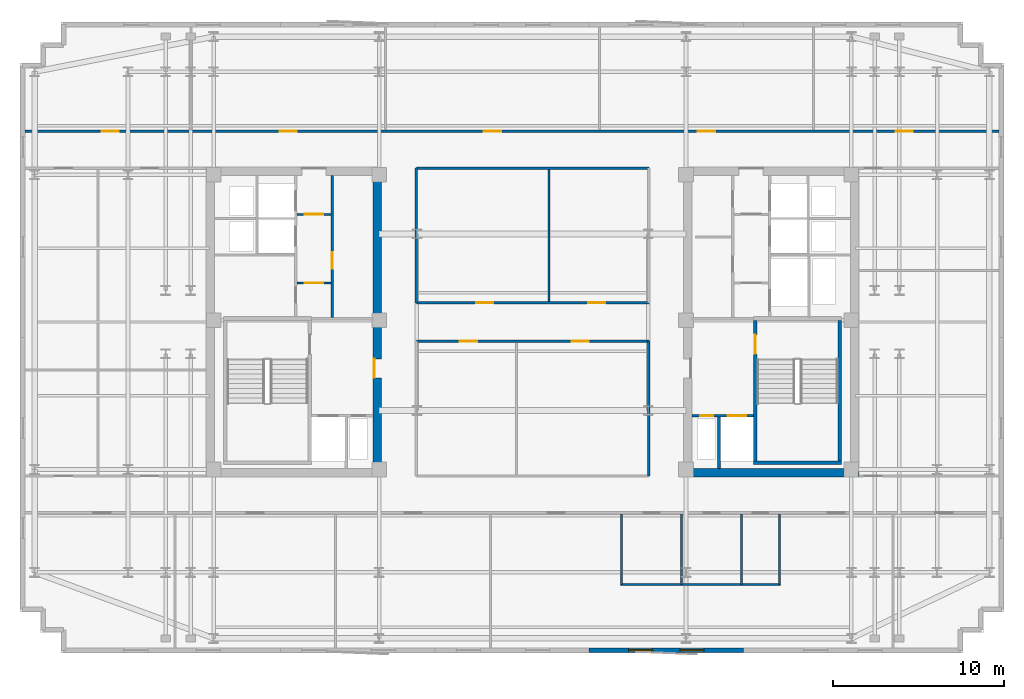
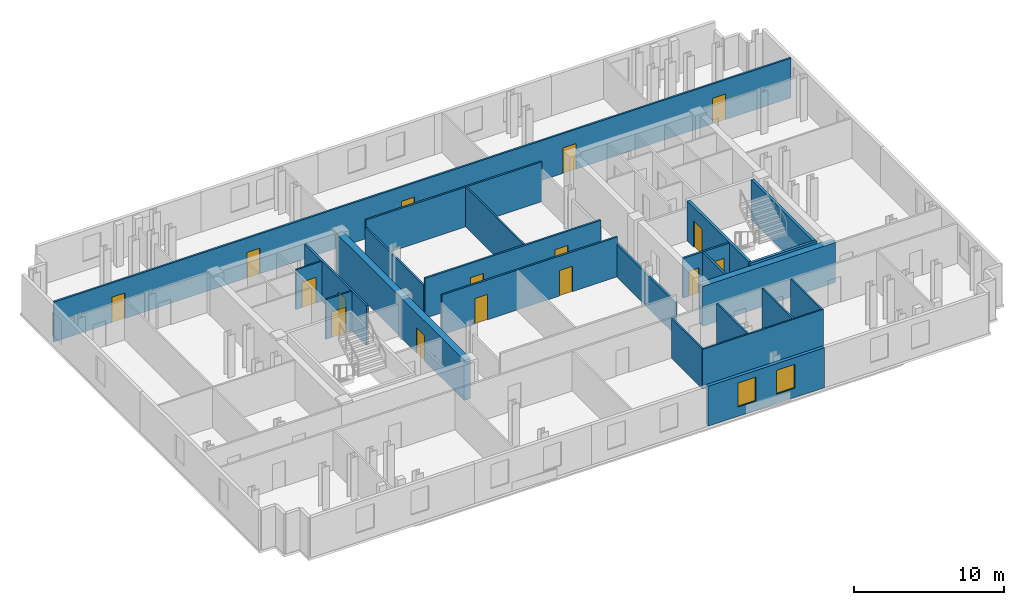
# One storey, part 5 of 9: 23 walls, 16 doors, 2 windows, 18 openings.
"""IFC4 building model written with IfcOpenShell, lengths in metres."""

from ifc_helpers import new_model, si_unit, direction, frame, frame_2d, origin, place, context, subcontext, project, spatial, rectangle, extrude, material, layer, layer_set, type_object, element, fill, save


model = new_model("IFC4")

# Units and contexts
model_context = context("Model", 3, precision=1e-05, world=origin(), true_north=direction((0.0, 1.0)))
body_context = subcontext(model_context, "Body", "Model", "MODEL_VIEW")
ifc_project = project(units=[si_unit("LENGTHUNIT", "METRE"), si_unit("AREAUNIT", "SQUARE_METRE"), si_unit("VOLUMEUNIT", "CUBIC_METRE"), si_unit("PLANEANGLEUNIT", "RADIAN"), si_unit("MASSUNIT", "GRAM", prefix="KILO")], contexts=[model_context])

# Site, building, storey
site_placement = place(None, origin())
site = spatial("IfcSite", under=ifc_project, at=site_placement, CompositionType="ELEMENT")
building_placement = place(site_placement, origin())
building = spatial("IfcBuilding", under=site, at=building_placement, Name="Velakula Bourse", CompositionType="ELEMENT")
storey_placement = place(building_placement, frame((0.0, 0.0, 225.75)))
storey = spatial("IfcBuildingStorey", under=building, at=storey_placement, Name="L61", CompositionType="ELEMENT", Elevation=225.75)

# Wall, opening, door
ifc_material_1 = material(Name="Concrete M50 (fck 50 MPa)", Category="concrete")
ifc_layer_1 = layer(ifc_material_1, 0.2099609375, Name="Concrete M50 (fck 50 MPa)", Category="concrete")
ifc_layer_set_1 = layer_set([ifc_layer_1], Name="Concrete M50 (fck 50 MPa)")
wall_type_1 = type_object("IfcWallType", Name="WL-CORE-210", PredefinedType="SHEAR", material=ifc_layer_set_1)
wall_1_placement = place(storey_placement, frame((12.9951171875, -8.10009765625, 0.0), z_axis=(0.0, 0.0, 1.0), x_axis=(0.0, 1.0, 0.0)))
wall_1 = element("IfcWall", 1, at=wall_1_placement, inside=storey, type_object=wall_type_1, Name="L61 Core E Stairwell Shear Wall IN", PredefinedType="SHEAR", context=body_context, shape_type="SweptSolid", body=[
    extrude(rectangle(XDim=8.2001953125, YDim=0.2099609375, at=frame_2d((4.10009765625, 0.0))), origin(), (0.0, 0.0, 1.0), 3.27001953125),
])
opening_1_placement = place(wall_1_placement, frame((6.25, 0.0, 0.0)))
opening_1 = element("IfcOpeningElement", 2, at=opening_1_placement, cuts=wall_1, Name="Opening D-STE1", PredefinedType="OPENING", context=body_context, shape_type="SweptSolid", body=[
    extrude(rectangle(XDim=1.10009765625, YDim=2.14990234375, at=frame_2d((0.550048828125, 1.074951171875))), frame((0.0, 0.114990234375, 0.0), z_axis=(0.0, -1.0, 0.0), x_axis=(1.0, 0.0, 0.0)), (0.0, 0.0, 1.0), 0.22998046875),
])
ifc_material_2 = material(Name="Galvanised painted hollow steel fire door", Category="steel")
door_type_1 = type_object("IfcDoorType", Name="DR-FD120-1100x2150", OperationType="NOTDEFINED", PredefinedType="DOOR", material=ifc_material_2)
door_1_placement = place(opening_1_placement, origin())
door_1 = element("IfcDoor", 3, at=door_1_placement, inside=storey, type_object=door_type_1, Name="L61 Stair ST-E1 Fire Door", OperationType="SINGLE_SWING_RIGHT", OverallHeight=2.14990234375, OverallWidth=1.10009765625, PredefinedType="DOOR", context=body_context, shape_type="SweptSolid", body=[
    extrude(rectangle(XDim=1.10009765625, YDim=2.14990234375, at=frame_2d((0.550048828125, 1.074951171875))), frame((0.0, 0.02490234375, 0.0), z_axis=(0.0, -1.0, 0.0), x_axis=(1.0, 0.0, 0.0)), (0.0, 0.0, 1.0), 0.050048828125),
])
fill(opening_1, door_1)

# Walls
wall_2_placement = place(storey_placement, frame((17.925048828125, -8.10009765625, 0.0), z_axis=(0.0, 0.0, 1.0), x_axis=(0.0, 1.0, 0.0)))
element("IfcWall", 4, at=wall_2_placement, inside=storey, type_object=wall_type_1, Name="L61 Core E Stairwell Shear Wall OUT", PredefinedType="SHEAR", context=body_context, shape_type="SweptSolid", body=[
    extrude(rectangle(XDim=8.2001953125, YDim=0.2099609375, at=frame_2d((4.10009765625, 0.0))), origin(), (0.0, 0.0, 1.0), 3.27001953125),
])
wall_3_placement = place(storey_placement, frame((12.889892578125, -8.205078125, 0.0), z_axis=(0.0, 0.0, 1.0), x_axis=(1.0, 0.0, 0.0)))
element("IfcWall", 5, at=wall_3_placement, inside=storey, type_object=wall_type_1, Name="L61 Core E Stairwell Shear Wall S", PredefinedType="SHEAR", context=body_context, shape_type="SweptSolid", body=[
    extrude(rectangle(XDim=5.14013671875, YDim=0.2099609375, at=frame_2d((2.570068359375, 0.0))), origin(), (0.0, 0.0, 1.0), 3.27001953125),
])

# Wall, opening, door
ifc_layer_2 = layer(ifc_material_1, 0.5, Name="Concrete M50 (fck 50 MPa)", Category="concrete")
ifc_layer_set_2 = layer_set([ifc_layer_2], Name="Concrete M50 (fck 50 MPa)")
wall_type_2 = type_object("IfcWallType", Name="WL-CORE-500", PredefinedType="SHEAR", material=ifc_layer_set_2)
wall_4_placement = place(storey_placement, frame((-9.050048828125, -8.550048828125, 0.0), z_axis=(0.0, 0.0, 1.0), x_axis=(0.0, 1.0, 0.0)))
wall_4 = element("IfcWall", 6, at=wall_4_placement, inside=storey, type_object=wall_type_2, Name="L61 Core W Shear Wall E", PredefinedType="SHEAR", context=body_context, shape_type="SweptSolid", body=[
    extrude(rectangle(XDim=17.10009765625, YDim=0.5, at=frame_2d((8.550048828125, 0.0))), origin(), (0.0, 0.0, 1.0), 3.27001953125),
])
opening_2_placement = place(wall_4_placement, frame((5.300048828125, 0.0, 0.0)))
opening_2 = element("IfcOpeningElement", 7, at=opening_2_placement, cuts=wall_4, Name="Opening D-FLW", PredefinedType="OPENING", context=body_context, shape_type="SweptSolid", body=[
    extrude(rectangle(XDim=1.10009765625, YDim=2.080078125, at=frame_2d((0.550048828125, 1.0400390625))), frame((0.0, 0.260009765625, 0.0), z_axis=(0.0, -1.0, 0.0), x_axis=(1.0, 0.0, 0.0)), (0.0, 0.0, 1.0), 0.52001953125),
])
door_type_2 = type_object("IfcDoorType", Name="DR-FD120-1100", OperationType="NOTDEFINED", PredefinedType="DOOR", material=ifc_material_2)
door_2_placement = place(opening_2_placement, origin())
door_2 = element("IfcDoor", 8, at=door_2_placement, inside=storey, type_object=door_type_2, Name="L61 Firefighting Lobby W Corridor Fire Door", OperationType="SINGLE_SWING_LEFT", OverallHeight=2.080078125, OverallWidth=1.10009765625, PredefinedType="DOOR", context=body_context, shape_type="SweptSolid", body=[
    extrude(rectangle(XDim=1.10009765625, YDim=2.080078125, at=frame_2d((0.550048828125, 1.0400390625))), frame((0.0, 0.205078125, 0.0), z_axis=(0.0, -1.0, 0.0), x_axis=(1.0, 0.0, 0.0)), (0.0, 0.0, 1.0), 0.050048828125),
])
fill(opening_2, door_2)

# Wall
wall_5_placement = place(storey_placement, frame((8.800048828125, -8.800048828125, 0.0), z_axis=(0.0, 0.0, 1.0), x_axis=(1.0, 0.0, 0.0)))
element("IfcWall", 9, at=wall_5_placement, inside=storey, type_object=wall_type_2, Name="L61 Core E Shear Wall S", PredefinedType="SHEAR", context=body_context, shape_type="SweptSolid", body=[
    extrude(rectangle(XDim=10.25, YDim=0.5, at=frame_2d((5.125, 0.0))), origin(), (0.0, 0.0, 1.0), 3.27001953125),
])

# Wall, openings, windows
ifc_material_3 = material(Name="Buff kilned clay facing brick masonry", Category="masonry")
ifc_layer_3 = layer(ifc_material_3, 0.260009765625, Name="Buff kilned clay facing brick masonry", Category="masonry")
ifc_layer_set_3 = layer_set([ifc_layer_3], Name="Buff kilned clay facing brick masonry")
wall_type_3 = type_object("IfcWallType", Name="WL-EXT-BRK-260", PredefinedType="STANDARD", material=ifc_layer_set_3)
wall_6_placement = place(storey_placement, frame((12.300048828125, -19.14990234375, 0.0), z_axis=(0.0, 0.0, 1.0), x_axis=(-1.0, 0.0, 0.0)))
wall_6 = element("IfcWall", 10, at=wall_6_placement, inside=storey, type_object=wall_type_3, Name="L61 S Brick Spandrel Wall B4", PredefinedType="STANDARD", context=body_context, shape_type="SweptSolid", body=[
    extrude(rectangle(XDim=9.0, YDim=0.260009765625, at=frame_2d((4.5, 0.0))), origin(), (0.0, 0.0, 1.0), 3.25),
])
opening_3_placement = place(wall_6_placement, frame((2.300048828125, 0.0, 0.760009765625)))
opening_3 = element("IfcOpeningElement", 11, at=opening_3_placement, cuts=wall_6, Name="Opening W-03", PredefinedType="OPENING", context=body_context, shape_type="SweptSolid", body=[
    extrude(rectangle(XDim=1.39990234375, YDim=1.949951171875, at=frame_2d((0.699951171875, 0.97509765625))), frame((0.0, 0.139892578125, 0.0), z_axis=(0.0, -1.0, 0.0), x_axis=(1.0, 0.0, 0.0)), (0.0, 0.0, 1.0), 0.280029296875),
])
opening_4_placement = place(wall_6_placement, frame((5.300048828125, 0.0, 0.760009765625)))
opening_4 = element("IfcOpeningElement", 12, at=opening_4_placement, cuts=wall_6, Name="Opening W-03", PredefinedType="OPENING", context=body_context, shape_type="SweptSolid", body=[
    extrude(rectangle(XDim=1.39990234375, YDim=1.949951171875, at=frame_2d((0.699951171875, 0.97509765625))), frame((0.0, 0.139892578125, 0.0), z_axis=(0.0, -1.0, 0.0), x_axis=(1.0, 0.0, 0.0)), (0.0, 0.0, 1.0), 0.280029296875),
])
ifc_material_4 = material(Name="Double-glazed solar-control Low-E glass", Category="glass")
window_type = type_object("IfcWindowType", Name="WIN-TWR-1400x2100", PartitioningType="SINGLE_PANEL", PredefinedType="WINDOW", material=ifc_material_4)
window_1_placement = place(opening_3_placement, origin())
window_1 = element("IfcWindow", 13, at=window_1_placement, inside=storey, type_object=window_type, Name="L61 Deep-Set Recessed Window 1", OverallHeight=1.949951171875, OverallWidth=1.39990234375, PartitioningType="SINGLE_PANEL", PredefinedType="WINDOW", context=body_context, shape_type="SweptSolid", body=[
    extrude(rectangle(XDim=1.39990234375, YDim=1.949951171875, at=frame_2d((0.699951171875, 0.97509765625))), frame((0.0, 0.030029296875, 0.0), z_axis=(0.0, -1.0, 0.0), x_axis=(1.0, 0.0, 0.0)), (0.0, 0.0, 1.0), 0.06005859375),
])
fill(opening_3, window_1)
window_2_placement = place(opening_4_placement, origin())
window_2 = element("IfcWindow", 14, at=window_2_placement, inside=storey, type_object=window_type, Name="L61 Deep-Set Recessed Window 2", OverallHeight=1.949951171875, OverallWidth=1.39990234375, PartitioningType="SINGLE_PANEL", PredefinedType="WINDOW", context=body_context, shape_type="SweptSolid", body=[
    extrude(rectangle(XDim=1.39990234375, YDim=1.949951171875, at=frame_2d((0.699951171875, 0.97509765625))), frame((0.0, 0.030029296875, 0.0), z_axis=(0.0, -1.0, 0.0), x_axis=(1.0, 0.0, 0.0)), (0.0, 0.0, 1.0), 0.06005859375),
])
fill(opening_4, window_2)

# Wall, opening, door
ifc_material_5 = material(Name="Fire-rated double-layer gypsum drywall partition", Category="gypsum")
ifc_layer_4 = layer(ifc_material_5, 0.1201171875, Name="Fire-rated double-layer gypsum drywall partition", Category="gypsum")
ifc_layer_set_4 = layer_set([ifc_layer_4], Name="Fire-rated double-layer gypsum drywall partition")
wall_type_4 = type_object("IfcWallType", Name="WL-PART-120", PredefinedType="STANDARD", material=ifc_layer_set_4)
wall_7_placement = place(storey_placement, frame((-13.75, 2.280029296875, 0.0), z_axis=(0.0, 0.0, 1.0), x_axis=(1.0, 0.0, 0.0)))
wall_7 = element("IfcWall", 15, at=wall_7_placement, inside=storey, type_object=wall_type_4, Name="L61 Interior Partition WL-CRW-L61-LL-K3A", PredefinedType="STANDARD", context=body_context, shape_type="SweptSolid", body=[
    extrude(rectangle(XDim=2.0, YDim=0.1201171875, at=frame_2d((1.0, 0.0))), origin(), (0.0, 0.0, 1.0), 3.25),
])
opening_5_placement = place(wall_7_placement, frame((0.449951171875, 0.0, 0.0)))
opening_5 = element("IfcOpeningElement", 16, at=opening_5_placement, cuts=wall_7, Name="Opening D-LK3", PredefinedType="OPENING", context=body_context, shape_type="SweptSolid", body=[
    extrude(rectangle(XDim=1.10009765625, YDim=2.10009765625, at=frame_2d((0.550048828125, 1.050048828125))), frame((0.0, 0.070068359375, 0.0), z_axis=(0.0, -1.0, 0.0), x_axis=(1.0, 0.0, 0.0)), (0.0, 0.0, 1.0), 0.14013671875),
])
ifc_material_6 = material(Name="Fire-rated hardwood flush architectural door", Category="wood")
door_type_3 = type_object("IfcDoorType", Name="DR-FD60-1100x2100", OperationType="NOTDEFINED", PredefinedType="DOOR", material=ifc_material_6)
door_3_placement = place(opening_5_placement, origin())
door_3 = element("IfcDoor", 17, at=door_3_placement, inside=storey, type_object=door_type_3, Name="L61 Core W Lift Lobby Vestibule Door A", OperationType="SINGLE_SWING_RIGHT", OverallHeight=2.10009765625, OverallWidth=1.10009765625, PredefinedType="DOOR", context=body_context, shape_type="SweptSolid", body=[
    extrude(rectangle(XDim=1.10009765625, YDim=2.10009765625, at=frame_2d((0.550048828125, 1.050048828125))), frame((0.0, 0.02490234375, 0.0), z_axis=(0.0, -1.0, 0.0), x_axis=(1.0, 0.0, 0.0)), (0.0, 0.0, 1.0), 0.050048828125),
])
fill(opening_5, door_3)

wall_8_placement = place(storey_placement, frame((-13.75, 6.280029296875, 0.0), z_axis=(0.0, 0.0, 1.0), x_axis=(1.0, 0.0, 0.0)))
wall_8 = element("IfcWall", 18, at=wall_8_placement, inside=storey, type_object=wall_type_4, Name="L61 Interior Partition WL-CRW-L61-LL-K3B", PredefinedType="STANDARD", context=body_context, shape_type="SweptSolid", body=[
    extrude(rectangle(XDim=2.0, YDim=0.1201171875, at=frame_2d((1.0, 0.0))), origin(), (0.0, 0.0, 1.0), 3.25),
])
opening_6_placement = place(wall_8_placement, frame((0.449951171875, 0.0, 0.0)))
opening_6 = element("IfcOpeningElement", 19, at=opening_6_placement, cuts=wall_8, Name="Opening D-LK3", PredefinedType="OPENING", context=body_context, shape_type="SweptSolid", body=[
    extrude(rectangle(XDim=1.10009765625, YDim=2.10009765625, at=frame_2d((0.550048828125, 1.050048828125))), frame((0.0, 0.070068359375, 0.0), z_axis=(0.0, -1.0, 0.0), x_axis=(1.0, 0.0, 0.0)), (0.0, 0.0, 1.0), 0.14013671875),
])
door_4_placement = place(opening_6_placement, origin())
door_4 = element("IfcDoor", 20, at=door_4_placement, inside=storey, type_object=door_type_3, Name="L61 Core W Lift Lobby Vestibule Door B", OperationType="SINGLE_SWING_RIGHT", OverallHeight=2.10009765625, OverallWidth=1.10009765625, PredefinedType="DOOR", context=body_context, shape_type="SweptSolid", body=[
    extrude(rectangle(XDim=1.10009765625, YDim=2.10009765625, at=frame_2d((0.550048828125, 1.050048828125))), frame((0.0, 0.02490234375, 0.0), z_axis=(0.0, -1.0, 0.0), x_axis=(1.0, 0.0, 0.0)), (0.0, 0.0, 1.0), 0.050048828125),
])
fill(opening_6, door_4)

# Walls
wall_9_placement = place(storey_placement, frame((5.139892578125, -15.320068359375, 0.0), z_axis=(0.0, 0.0, 1.0), x_axis=(1.0, 0.0, 0.0)))
element("IfcWall", 21, at=wall_9_placement, inside=storey, type_object=wall_type_4, Name="L61 Interior Partition WL-WC-L61-BACK", PredefinedType="STANDARD", context=body_context, shape_type="SweptSolid", body=[
    extrude(rectangle(XDim=9.320068359375, YDim=0.1201171875, at=frame_2d((4.66015625, 0.0))), origin(), (0.0, 0.0, 1.0), 3.25),
])
for number, where, z_axis, x_axis, name in (
    (22, (5.199951171875, -15.320068359375, 0.0), (0.0, 0.0, 1.0), (0.0, 1.0, 0.0), "L61 Interior Partition WL-WC-L61-V1"),
    (23, (8.699951171875, -15.320068359375, 0.0), (0.0, 0.0, 1.0), (0.0, 1.0, 0.0), "L61 Interior Partition WL-WC-L61-V2"),
    (24, (12.199951171875, -15.320068359375, 0.0), (0.0, 0.0, 1.0), (0.0, 1.0, 0.0), "L61 Interior Partition WL-WC-L61-V3"),
    (25, (14.39990234375, -15.320068359375, 0.0), (0.0, 0.0, 1.0), (0.0, 1.0, 0.0), "L61 Interior Partition WL-WC-L61-V4"),
):
    element("IfcWall", number, at=place(storey_placement, frame(where, z_axis=z_axis, x_axis=x_axis)), inside=storey, type_object=wall_type_4, Name=name, PredefinedType="STANDARD", context=body_context, shape_type="SweptSolid", body=[
        extrude(rectangle(XDim=4.130126953125, YDim=0.1201171875, at=frame_2d((2.06494140625, 0.0))), origin(), (0.0, 0.0, 1.0), 3.25),
    ])

# Wall, openings, doors
ifc_layer_5 = layer(ifc_material_5, 0.139892578125, Name="Fire-rated double-layer gypsum drywall partition", Category="gypsum")
ifc_layer_set_5 = layer_set([ifc_layer_5], Name="Fire-rated double-layer gypsum drywall partition")
wall_type_5 = type_object("IfcWallType", Name="WL-PART-140", PredefinedType="STANDARD", material=ifc_layer_set_5)
wall_10_placement = place(storey_placement, frame((-29.6201171875, 11.1201171875, 0.0), z_axis=(0.0, 0.0, 1.0), x_axis=(1.0, 0.0, 0.0)))
wall_10 = element("IfcWall", 26, at=wall_10_placement, inside=storey, type_object=wall_type_5, Name="L61 Interior Partition WL-INT-L61-N-CORR", PredefinedType="STANDARD", context=body_context, shape_type="SweptSolid", body=[
    extrude(rectangle(XDim=56.840087890625, YDim=0.139892578125, at=frame_2d((28.419921875, 0.0))), origin(), (0.0, 0.0, 1.0), 3.25),
])
opening_7_placement = place(wall_10_placement, frame((4.47705078125, 0.0, 0.0)))
opening_7 = element("IfcOpeningElement", 27, at=opening_7_placement, cuts=wall_10, Name="Opening D-OF1", PredefinedType="OPENING", context=body_context, shape_type="SweptSolid", body=[
    extrude(rectangle(XDim=1.0, YDim=2.080078125, at=frame_2d((0.5, 1.0400390625))), frame((0.0, 0.079833984375, 0.0), z_axis=(0.0, -1.0, 0.0), x_axis=(1.0, 0.0, 0.0)), (0.0, 0.0, 1.0), 0.159912109375),
])
opening_8_placement = place(wall_10_placement, frame((14.8740234375, 0.0, 0.0)))
opening_8 = element("IfcOpeningElement", 28, at=opening_8_placement, cuts=wall_10, Name="Opening D-OF1", PredefinedType="OPENING", context=body_context, shape_type="SweptSolid", body=[
    extrude(rectangle(XDim=1.0, YDim=2.080078125, at=frame_2d((0.5, 1.0400390625))), frame((0.0, 0.079833984375, 0.0), z_axis=(0.0, -1.0, 0.0), x_axis=(1.0, 0.0, 0.0)), (0.0, 0.0, 1.0), 0.159912109375),
])
opening_9_placement = place(wall_10_placement, frame((26.785400390625, 0.0, 0.0)))
opening_9 = element("IfcOpeningElement", 29, at=opening_9_placement, cuts=wall_10, Name="Opening D-OF1", PredefinedType="OPENING", context=body_context, shape_type="SweptSolid", body=[
    extrude(rectangle(XDim=1.0, YDim=2.080078125, at=frame_2d((0.5, 1.0400390625))), frame((0.0, 0.079833984375, 0.0), z_axis=(0.0, -1.0, 0.0), x_axis=(1.0, 0.0, 0.0)), (0.0, 0.0, 1.0), 0.159912109375),
])
opening_10_placement = place(wall_10_placement, frame((39.263916015625, 0.0, 0.0)))
opening_10 = element("IfcOpeningElement", 30, at=opening_10_placement, cuts=wall_10, Name="Opening D-OF1", PredefinedType="OPENING", context=body_context, shape_type="SweptSolid", body=[
    extrude(rectangle(XDim=1.0, YDim=2.080078125, at=frame_2d((0.5, 1.0400390625))), frame((0.0, 0.079833984375, 0.0), z_axis=(0.0, -1.0, 0.0), x_axis=(1.0, 0.0, 0.0)), (0.0, 0.0, 1.0), 0.159912109375),
])
opening_11_placement = place(wall_10_placement, frame((50.79541015625, 0.0, 0.0)))
opening_11 = element("IfcOpeningElement", 31, at=opening_11_placement, cuts=wall_10, Name="Opening D-OF1", PredefinedType="OPENING", context=body_context, shape_type="SweptSolid", body=[
    extrude(rectangle(XDim=1.0, YDim=2.080078125, at=frame_2d((0.5, 1.0400390625))), frame((0.0, 0.079833984375, 0.0), z_axis=(0.0, -1.0, 0.0), x_axis=(1.0, 0.0, 0.0)), (0.0, 0.0, 1.0), 0.159912109375),
])
door_type_4 = type_object("IfcDoorType", Name="DR-OFF-1000", OperationType="NOTDEFINED", PredefinedType="DOOR", material=ifc_material_6)
door_5_placement = place(opening_7_placement, origin())
door_5 = element("IfcDoor", 32, at=door_5_placement, inside=storey, type_object=door_type_4, Name="L61 Equity Options Trading Workspace Door", OperationType="SINGLE_SWING_LEFT", OverallHeight=2.080078125, OverallWidth=1.0, PredefinedType="DOOR", context=body_context, shape_type="SweptSolid", body=[
    extrude(rectangle(XDim=1.0, YDim=2.080078125, at=frame_2d((0.5, 1.0400390625))), frame((0.0, 0.02490234375, 0.0), z_axis=(0.0, -1.0, 0.0), x_axis=(1.0, 0.0, 0.0)), (0.0, 0.0, 1.0), 0.050048828125),
])
fill(opening_7, door_5)
door_6_placement = place(opening_8_placement, origin())
door_6 = element("IfcDoor", 33, at=door_6_placement, inside=storey, type_object=door_type_4, Name="L61 Disciplinary Hearing Room Door", OperationType="SINGLE_SWING_RIGHT", OverallHeight=2.080078125, OverallWidth=1.0, PredefinedType="DOOR", context=body_context, shape_type="SweptSolid", body=[
    extrude(rectangle(XDim=1.0, YDim=2.080078125, at=frame_2d((0.5, 1.0400390625))), frame((0.0, 0.02490234375, 0.0), z_axis=(0.0, -1.0, 0.0), x_axis=(1.0, 0.0, 0.0)), (0.0, 0.0, 1.0), 0.050048828125),
])
fill(opening_8, door_6)
door_7_placement = place(opening_9_placement, origin())
door_7 = element("IfcDoor", 34, at=door_7_placement, inside=storey, type_object=door_type_4, Name="L61 Traders Pantry Door", OperationType="SINGLE_SWING_LEFT", OverallHeight=2.080078125, OverallWidth=1.0, PredefinedType="DOOR", context=body_context, shape_type="SweptSolid", body=[
    extrude(rectangle(XDim=1.0, YDim=2.080078125, at=frame_2d((0.5, 1.0400390625))), frame((0.0, 0.02490234375, 0.0), z_axis=(0.0, -1.0, 0.0), x_axis=(1.0, 0.0, 0.0)), (0.0, 0.0, 1.0), 0.050048828125),
])
fill(opening_9, door_7)
door_8_placement = place(opening_10_placement, origin())
door_8 = element("IfcDoor", 35, at=door_8_placement, inside=storey, type_object=door_type_4, Name="L61 Quiet Financial Library Door", OperationType="SINGLE_SWING_RIGHT", OverallHeight=2.080078125, OverallWidth=1.0, PredefinedType="DOOR", context=body_context, shape_type="SweptSolid", body=[
    extrude(rectangle(XDim=1.0, YDim=2.080078125, at=frame_2d((0.5, 1.0400390625))), frame((0.0, 0.02490234375, 0.0), z_axis=(0.0, -1.0, 0.0), x_axis=(1.0, 0.0, 0.0)), (0.0, 0.0, 1.0), 0.050048828125),
])
fill(opening_10, door_8)
door_9_placement = place(opening_11_placement, origin())
door_9 = element("IfcDoor", 36, at=door_9_placement, inside=storey, type_object=door_type_4, Name="L61 Margin Control Office Door", OperationType="SINGLE_SWING_LEFT", OverallHeight=2.080078125, OverallWidth=1.0, PredefinedType="DOOR", context=body_context, shape_type="SweptSolid", body=[
    extrude(rectangle(XDim=1.0, YDim=2.080078125, at=frame_2d((0.5, 1.0400390625))), frame((0.0, 0.02490234375, 0.0), z_axis=(0.0, -1.0, 0.0), x_axis=(1.0, 0.0, 0.0)), (0.0, 0.0, 1.0), 0.050048828125),
])
fill(opening_11, door_9)

wall_11_placement = place(storey_placement, frame((-6.780029296875, 1.1201171875, 0.0), z_axis=(0.0, 0.0, 1.0), x_axis=(1.0, 0.0, 0.0)))
wall_11 = element("IfcWall", 37, at=wall_11_placement, inside=storey, type_object=wall_type_5, Name="L61 Interior Partition WL-INT-L61-MN-IN", PredefinedType="STANDARD", context=body_context, shape_type="SweptSolid", body=[
    extrude(rectangle(XDim=13.56005859375, YDim=0.139892578125, at=frame_2d((6.780029296875, 0.0))), origin(), (0.0, 0.0, 1.0), 3.25),
])
opening_12_placement = place(wall_11_placement, frame((3.490966796875, 0.0, 0.0)))
opening_12 = element("IfcOpeningElement", 38, at=opening_12_placement, cuts=wall_11, Name="Opening D-OF1", PredefinedType="OPENING", context=body_context, shape_type="SweptSolid", body=[
    extrude(rectangle(XDim=1.0, YDim=2.080078125, at=frame_2d((0.5, 1.0400390625))), frame((0.0, 0.079833984375, 0.0), z_axis=(0.0, -1.0, 0.0), x_axis=(1.0, 0.0, 0.0)), (0.0, 0.0, 1.0), 0.159912109375),
])
opening_13_placement = place(wall_11_placement, frame((10.01904296875, 0.0, 0.0)))
opening_13 = element("IfcOpeningElement", 39, at=opening_13_placement, cuts=wall_11, Name="Opening D-OF1", PredefinedType="OPENING", context=body_context, shape_type="SweptSolid", body=[
    extrude(rectangle(XDim=1.0, YDim=2.080078125, at=frame_2d((0.5, 1.0400390625))), frame((0.0, 0.079833984375, 0.0), z_axis=(0.0, -1.0, 0.0), x_axis=(1.0, 0.0, 0.0)), (0.0, 0.0, 1.0), 0.159912109375),
])
door_10_placement = place(opening_12_placement, origin())
door_10 = element("IfcDoor", 40, at=door_10_placement, inside=storey, type_object=door_type_4, Name="L61 Compliance Review Office Door", OperationType="SINGLE_SWING_LEFT", OverallHeight=2.080078125, OverallWidth=1.0, PredefinedType="DOOR", context=body_context, shape_type="SweptSolid", body=[
    extrude(rectangle(XDim=1.0, YDim=2.080078125, at=frame_2d((0.5, 1.0400390625))), frame((0.0, 0.02490234375, 0.0), z_axis=(0.0, -1.0, 0.0), x_axis=(1.0, 0.0, 0.0)), (0.0, 0.0, 1.0), 0.050048828125),
])
fill(opening_12, door_10)
door_11_placement = place(opening_13_placement, origin())
door_11 = element("IfcDoor", 41, at=door_11_placement, inside=storey, type_object=door_type_4, Name="L61 Margin Control Office Door", OperationType="SINGLE_SWING_RIGHT", OverallHeight=2.080078125, OverallWidth=1.0, PredefinedType="DOOR", context=body_context, shape_type="SweptSolid", body=[
    extrude(rectangle(XDim=1.0, YDim=2.080078125, at=frame_2d((0.5, 1.0400390625))), frame((0.0, 0.02490234375, 0.0), z_axis=(0.0, -1.0, 0.0), x_axis=(1.0, 0.0, 0.0)), (0.0, 0.0, 1.0), 0.050048828125),
])
fill(opening_13, door_11)

# Walls
wall_12_placement = place(storey_placement, frame((-6.780029296875, 8.97998046875, 0.0), z_axis=(0.0, 0.0, 1.0), x_axis=(1.0, 0.0, 0.0)))
element("IfcWall", 42, at=wall_12_placement, inside=storey, type_object=wall_type_5, Name="L61 Interior Partition WL-INT-L61-MN-OUT", PredefinedType="STANDARD", context=body_context, shape_type="SweptSolid", body=[
    extrude(rectangle(XDim=13.56005859375, YDim=0.139892578125, at=frame_2d((6.780029296875, 0.0))), origin(), (0.0, 0.0, 1.0), 3.25),
])
wall_13_placement = place(storey_placement, frame((-6.780029296875, 1.1201171875, 0.0), z_axis=(0.0, 0.0, 1.0), x_axis=(0.0, 1.0, 0.0)))
element("IfcWall", 43, at=wall_13_placement, inside=storey, type_object=wall_type_5, Name="L61 Interior Partition WL-INT-L61-MN-W", PredefinedType="STANDARD", context=body_context, shape_type="SweptSolid", body=[
    extrude(rectangle(XDim=7.85986328125, YDim=0.139892578125, at=frame_2d((3.929931640625, 0.0))), origin(), (0.0, 0.0, 1.0), 2.64501953125),
])
wall_14_placement = place(storey_placement, frame((0.949951171875, 1.18994140625, 0.0), z_axis=(0.0, 0.0, 1.0), x_axis=(0.0, 1.0, 0.0)))
element("IfcWall", 44, at=wall_14_placement, inside=storey, type_object=wall_type_5, Name="L61 Interior Partition WL-INT-L61-MN-V1", PredefinedType="STANDARD", context=body_context, shape_type="SweptSolid", body=[
    extrude(rectangle(XDim=7.719970703125, YDim=0.1201171875, at=frame_2d((3.85986328125, 0.0))), origin(), (0.0, 0.0, 1.0), 3.25),
])

# Wall, openings, doors
wall_15_placement = place(storey_placement, frame((-6.780029296875, -1.1201171875, 0.0), z_axis=(0.0, 0.0, 1.0), x_axis=(1.0, 0.0, 0.0)))
wall_15 = element("IfcWall", 45, at=wall_15_placement, inside=storey, type_object=wall_type_5, Name="L61 Interior Partition WL-INT-L61-MS-IN", PredefinedType="STANDARD", context=body_context, shape_type="SweptSolid", body=[
    extrude(rectangle(XDim=13.56005859375, YDim=0.139892578125, at=frame_2d((6.780029296875, 0.0))), origin(), (0.0, 0.0, 1.0), 3.25),
])
opening_14_placement = place(wall_15_placement, frame((2.541015625, 0.0, 0.0)))
opening_14 = element("IfcOpeningElement", 46, at=opening_14_placement, cuts=wall_15, Name="Opening D-OF1", PredefinedType="OPENING", context=body_context, shape_type="SweptSolid", body=[
    extrude(rectangle(XDim=1.0, YDim=2.080078125, at=frame_2d((0.5, 1.0400390625))), frame((0.0, 0.079833984375, 0.0), z_axis=(0.0, -1.0, 0.0), x_axis=(1.0, 0.0, 0.0)), (0.0, 0.0, 1.0), 0.159912109375),
])
opening_15_placement = place(wall_15_placement, frame((9.069091796875, 0.0, 0.0)))
opening_15 = element("IfcOpeningElement", 47, at=opening_15_placement, cuts=wall_15, Name="Opening D-OF1", PredefinedType="OPENING", context=body_context, shape_type="SweptSolid", body=[
    extrude(rectangle(XDim=1.0, YDim=2.080078125, at=frame_2d((0.5, 1.0400390625))), frame((0.0, 0.079833984375, 0.0), z_axis=(0.0, -1.0, 0.0), x_axis=(1.0, 0.0, 0.0)), (0.0, 0.0, 1.0), 0.159912109375),
])
door_12_placement = place(opening_14_placement, origin())
door_12 = element("IfcDoor", 48, at=door_12_placement, inside=storey, type_object=door_type_4, Name="L61 Bullion Assay Office Door", OperationType="SINGLE_SWING_LEFT", OverallHeight=2.080078125, OverallWidth=1.0, PredefinedType="DOOR", context=body_context, shape_type="SweptSolid", body=[
    extrude(rectangle(XDim=1.0, YDim=2.080078125, at=frame_2d((0.5, 1.0400390625))), frame((0.0, 0.02490234375, 0.0), z_axis=(0.0, -1.0, 0.0), x_axis=(1.0, 0.0, 0.0)), (0.0, 0.0, 1.0), 0.050048828125),
])
fill(opening_14, door_12)
door_13_placement = place(opening_15_placement, origin())
door_13 = element("IfcDoor", 49, at=door_13_placement, inside=storey, type_object=door_type_4, Name="L61 Legal Counsel Office Door", OperationType="SINGLE_SWING_RIGHT", OverallHeight=2.080078125, OverallWidth=1.0, PredefinedType="DOOR", context=body_context, shape_type="SweptSolid", body=[
    extrude(rectangle(XDim=1.0, YDim=2.080078125, at=frame_2d((0.5, 1.0400390625))), frame((0.0, 0.02490234375, 0.0), z_axis=(0.0, -1.0, 0.0), x_axis=(1.0, 0.0, 0.0)), (0.0, 0.0, 1.0), 0.050048828125),
])
fill(opening_15, door_13)

# Wall
wall_16_placement = place(storey_placement, frame((6.780029296875, -8.97998046875, 0.0), z_axis=(0.0, 0.0, 1.0), x_axis=(0.0, 1.0, 0.0)))
element("IfcWall", 50, at=wall_16_placement, inside=storey, type_object=wall_type_5, Name="L61 Interior Partition WL-INT-L61-MS-E", PredefinedType="STANDARD", context=body_context, shape_type="SweptSolid", body=[
    extrude(rectangle(XDim=7.85986328125, YDim=0.139892578125, at=frame_2d((3.929931640625, 0.0))), origin(), (0.0, 0.0, 1.0), 2.64501953125),
])

# Wall, opening, door
ifc_material_7 = material(Name="Autoclaved aerated concrete blockwork masonry", Category="masonry")
ifc_layer_6 = layer(ifc_material_7, 0.14990234375, Name="Autoclaved aerated concrete blockwork masonry", Category="masonry")
ifc_layer_set_6 = layer_set([ifc_layer_6], Name="Autoclaved aerated concrete blockwork masonry")
wall_type_6 = type_object("IfcWallType", Name="WL-SHAFT-150", PredefinedType="STANDARD", material=ifc_layer_set_6)
wall_17_placement = place(storey_placement, frame((-11.675048828125, 0.27001953125, 0.0), z_axis=(0.0, 0.0, 1.0), x_axis=(0.0, 1.0, 0.0)))
wall_17 = element("IfcWall", 51, at=wall_17_placement, inside=storey, type_object=wall_type_6, Name="L61 Interior Partition WL-CRW-L61-BANK-F", PredefinedType="STANDARD", context=body_context, shape_type="SweptSolid", body=[
    extrude(rectangle(XDim=8.280029296875, YDim=0.14990234375, at=frame_2d((4.14013671875, 0.0))), origin(), (0.0, 0.0, 1.0), 3.25),
])
opening_16_placement = place(wall_17_placement, frame((2.85009765625, 0.0, 0.0)))
opening_16 = element("IfcOpeningElement", 52, at=opening_16_placement, cuts=wall_17, Name="Opening D-RC4", PredefinedType="OPENING", context=body_context, shape_type="SweptSolid", body=[
    extrude(rectangle(XDim=0.949951171875, YDim=2.050048828125, at=frame_2d((0.47509765625, 1.02490234375))), frame((0.0, 0.0849609375, 0.0), z_axis=(0.0, -1.0, 0.0), x_axis=(1.0, 0.0, 0.0)), (0.0, 0.0, 1.0), 0.169921875),
])
door_type_5 = type_object("IfcDoorType", Name="DR-FD60-950x2050", OperationType="NOTDEFINED", PredefinedType="DOOR", material=ifc_material_6)
door_14_placement = place(opening_16_placement, origin())
door_14 = element("IfcDoor", 53, at=door_14_placement, inside=storey, type_object=door_type_5, Name="L61 Reclaimed Multi-Bay Archive Room Door", OperationType="SINGLE_SWING_RIGHT", OverallHeight=2.050048828125, OverallWidth=0.949951171875, PredefinedType="DOOR", context=body_context, shape_type="SweptSolid", body=[
    extrude(rectangle(XDim=0.949951171875, YDim=2.050048828125, at=frame_2d((0.47509765625, 1.02490234375))), frame((0.0, 0.02490234375, 0.0), z_axis=(0.0, -1.0, 0.0), x_axis=(1.0, 0.0, 0.0)), (0.0, 0.0, 1.0), 0.050048828125),
])
fill(opening_16, door_14)

# Wall, openings, doors
wall_18_placement = place(storey_placement, frame((9.300048828125, -5.47509765625, 0.0), z_axis=(0.0, 0.0, 1.0), x_axis=(1.0, 0.0, 0.0)))
wall_18 = element("IfcWall", 54, at=wall_18_placement, inside=storey, type_object=wall_type_6, Name="L61 Interior Partition WL-CRE-L61-FFL-N", PredefinedType="STANDARD", context=body_context, shape_type="SweptSolid", body=[
    extrude(rectangle(XDim=3.594970703125, YDim=0.14990234375, at=frame_2d((1.79736328125, 0.0))), origin(), (0.0, 0.0, 1.0), 3.25),
])
opening_17_placement = place(wall_18_placement, frame((2.074951171875, 0.0, 0.0)))
opening_17 = element("IfcOpeningElement", 55, at=opening_17_placement, cuts=wall_18, Name="Opening LD-FFL-2", PredefinedType="OPENING", context=body_context, shape_type="SweptSolid", body=[
    extrude(rectangle(XDim=1.10009765625, YDim=2.14990234375, at=frame_2d((0.550048828125, 1.074951171875))), frame((0.0, 0.0849609375, 0.0), z_axis=(0.0, -1.0, 0.0), x_axis=(1.0, 0.0, 0.0)), (0.0, 0.0, 1.0), 0.169921875),
])
opening_18_placement = place(wall_18_placement, frame((0.47509765625, 0.0, 0.0)))
opening_18 = element("IfcOpeningElement", 56, at=opening_18_placement, cuts=wall_18, Name="Opening D-RS1", PredefinedType="OPENING", context=body_context, shape_type="SweptSolid", body=[
    extrude(rectangle(XDim=0.75, YDim=2.050048828125, at=frame_2d((0.375, 1.02490234375))), frame((0.0, 0.0849609375, 0.0), z_axis=(0.0, -1.0, 0.0), x_axis=(1.0, 0.0, 0.0)), (0.0, 0.0, 1.0), 0.169921875),
])
door_type_6 = type_object("IfcDoorType", Name="DR-RISER-800", OperationType="NOTDEFINED", PredefinedType="DOOR", material=ifc_material_2)
door_15_placement = place(opening_18_placement, origin())
door_15 = element("IfcDoor", 57, at=door_15_placement, inside=storey, type_object=door_type_6, Name="L61 Fire Riser Access Door", OperationType="SINGLE_SWING_LEFT", OverallHeight=2.050048828125, OverallWidth=0.75, PredefinedType="DOOR", context=body_context, shape_type="SweptSolid", body=[
    extrude(rectangle(XDim=0.75, YDim=2.050048828125, at=frame_2d((0.375, 1.02490234375))), frame((0.0, 0.02490234375, 0.0), z_axis=(0.0, -1.0, 0.0), x_axis=(1.0, 0.0, 0.0)), (0.0, 0.0, 1.0), 0.050048828125),
])
fill(opening_18, door_15)
ifc_material_8 = material(Name="Brushed grade 316 stainless steel", Category="steel")
door_type_7 = type_object("IfcDoorType", Name="DR-SLIDE-FFL-1100", OperationType="DOUBLE_DOOR_SLIDING", PredefinedType="DOOR", material=ifc_material_8)
door_16_placement = place(opening_17_placement, origin())
door_16 = element("IfcDoor", 58, at=door_16_placement, inside=storey, type_object=door_type_7, Name="L61 Firefighting Lift FFL-2 Sliding Landing Door", OperationType="DOUBLE_DOOR_SLIDING", OverallHeight=2.14990234375, OverallWidth=1.10009765625, PredefinedType="DOOR", context=body_context, shape_type="SweptSolid", body=[
    extrude(rectangle(XDim=1.10009765625, YDim=2.14990234375, at=frame_2d((0.550048828125, 1.074951171875))), frame((0.0, 0.02490234375, 0.0), z_axis=(0.0, -1.0, 0.0), x_axis=(1.0, 0.0, 0.0)), (0.0, 0.0, 1.0), 0.050048828125),
])
fill(opening_17, door_16)

# Wall
wall_19_placement = place(storey_placement, frame((10.875, -8.550048828125, 0.0), z_axis=(0.0, 0.0, 1.0), x_axis=(0.0, 1.0, 0.0)))
element("IfcWall", 59, at=wall_19_placement, inside=storey, type_object=wall_type_6, Name="L61 Interior Partition WL-CRE-L61-FR-DIV", PredefinedType="STANDARD", context=body_context, shape_type="SweptSolid", body=[
    extrude(rectangle(XDim=3.0, YDim=0.14990234375, at=frame_2d((1.5, 0.0))), origin(), (0.0, 0.0, 1.0), 3.25),
])

save(model, "model.ifc")
